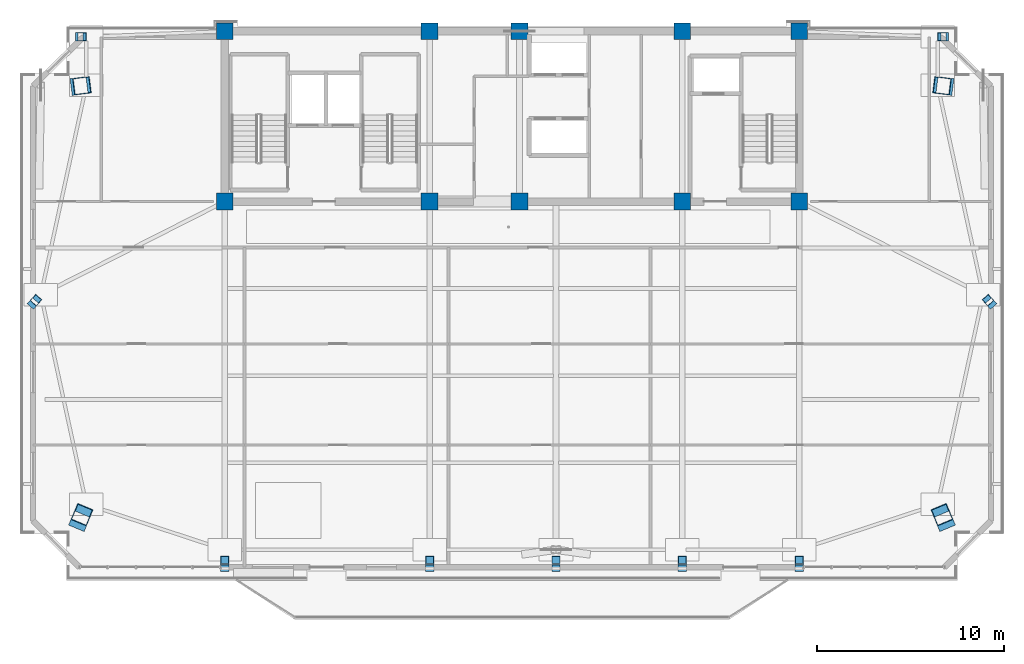
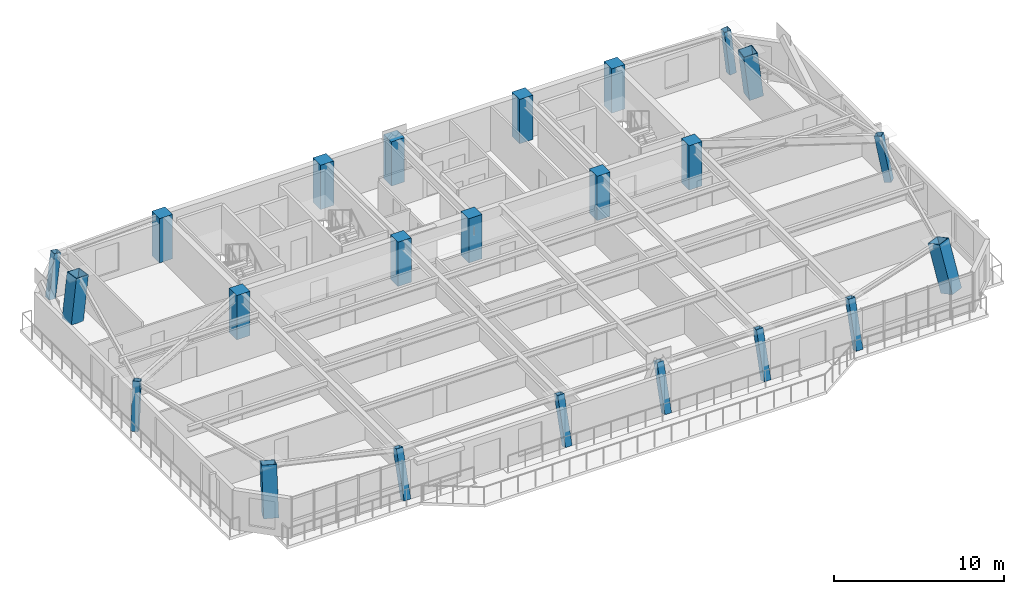
# One storey, part 1 of 15: 23 columns.
"""IFC4 building model written with IfcOpenShell, lengths in metres."""

from ifc_helpers import new_model, si_unit, direction, frame, origin, origin_2d, place, context, subcontext, project, spatial, rectangle, hollow_rectangle, extrude, source, transform, mapped, material, material_profile, profile_set, type_object, element, save


model = new_model("IFC4")

# Units and contexts
model_context = context("Model", 3, precision=1e-05, world=origin(), true_north=direction((0.0, 1.0)))
body_context = subcontext(model_context, "Body", "Model", "MODEL_VIEW")
ifc_project = project(units=[si_unit("LENGTHUNIT", "METRE"), si_unit("AREAUNIT", "SQUARE_METRE"), si_unit("VOLUMEUNIT", "CUBIC_METRE"), si_unit("PLANEANGLEUNIT", "RADIAN"), si_unit("MASSUNIT", "GRAM", prefix="KILO")], contexts=[model_context])

# Site, building, storey
site_placement = place(None, origin())
site = spatial("IfcSite", under=ifc_project, at=site_placement, CompositionType="ELEMENT")
building_placement = place(site_placement, origin())
building = spatial("IfcBuilding", under=site, at=building_placement, Name="Giltprow Tower", CompositionType="ELEMENT")
storey_placement = place(building_placement, frame((0.0, 0.0, 290.39990234375)))
storey = spatial("IfcBuildingStorey", under=building, at=storey_placement, Name="L74", CompositionType="ELEMENT", Elevation=290.39990234375)

# Columns
ifc_material_1 = material(Name="Concrete C45", Category="concrete")
ifc_material_profile_1 = material_profile(ifc_material_1, rectangle(XDim=0.89990234375, YDim=0.89990234375, at=origin_2d()), Name="RC 900x900")
ifc_profile_set_1 = profile_set([ifc_material_profile_1], Name="Concrete C45")
column_type_1 = type_object("IfcColumnType", Name="PIL-RC-900-C45", PredefinedType="PILASTER", material=ifc_profile_set_1)
shared_shape_1 = source(origin(), body_context, "Body", "SweptSolid", [
    extrude(rectangle(XDim=0.89990234375, YDim=0.89990234375, at=origin_2d()), origin(), (0.0, 0.0, 1.0), 3.18505859375),
])
for number, where, z_axis, x_axis, name in (
    (1, (19.85009765625, 37.449951171875, 0.0), (0.0, 0.0, 1.0), (1.0, 0.0, 0.0), "L74 Core Boundary Pilaster 1-1"),
    (2, (19.85009765625, 46.550048828125, 0.0), (0.0, 0.0, 1.0), (1.0, 0.0, 0.0), "L74 Core Boundary Pilaster 1-2"),
    (3, (30.800048828125, 37.449951171875, 0.0), (0.0, 0.0, 1.0), (1.0, 0.0, 0.0), "L74 Core Boundary Pilaster 2-1"),
    (4, (30.800048828125, 46.550048828125, 0.0), (0.0, 0.0, 1.0), (1.0, 0.0, 0.0), "L74 Core Boundary Pilaster 2-2"),
    (5, (35.60009765625, 37.449951171875, 0.0), (0.0, 0.0, 1.0), (1.0, 0.0, 0.0), "L74 Core Boundary Pilaster 3-1"),
    (6, (35.60009765625, 46.550048828125, 0.0), (0.0, 0.0, 1.0), (1.0, 0.0, 0.0), "L74 Core Boundary Pilaster 3-2"),
    (7, (44.300048828125, 37.449951171875, 0.0), (0.0, 0.0, 1.0), (1.0, 0.0, 0.0), "L74 Core Boundary Pilaster 4-1"),
    (8, (44.300048828125, 46.550048828125, 0.0), (0.0, 0.0, 1.0), (1.0, 0.0, 0.0), "L74 Core Boundary Pilaster 4-2"),
    (9, (50.550048828125, 37.449951171875, 0.0), (0.0, 0.0, 1.0), (1.0, 0.0, 0.0), "L74 Core Boundary Pilaster 5-1"),
    (10, (50.550048828125, 46.550048828125, 0.0), (0.0, 0.0, 1.0), (1.0, 0.0, 0.0), "L74 Core Boundary Pilaster 5-2"),
):
    element("IfcColumn", number, at=place(storey_placement, frame(where, z_axis=z_axis, x_axis=x_axis)), inside=storey, type_object=column_type_1, Name=name, PredefinedType="PILASTER", context=body_context, shape_type="MappedRepresentation", body=[
        mapped(shared_shape_1, transform((0.0, 0.0, 0.0), x_axis=(1.0, 0.0, 0.0), y_axis=(0.0, 1.0, 0.0), z_axis=(0.0, 0.0, 1.0), scale=1.0)),
    ])
ifc_material_2 = material(Name="Structural steel Q420GJC", Category="steel")
ifc_material_profile_2 = material_profile(ifc_material_2, hollow_rectangle(XDim=0.89990234375, YDim=0.89990234375, WallThickness=0.0400390625, at=origin_2d()), Name="BOX 900x900x40")
ifc_profile_set_2 = profile_set([ifc_material_profile_2], Name="Structural steel Q420GJC")
column_type_2 = type_object("IfcColumnType", Name="COL-BOX-900x900x40", PredefinedType="COLUMN", material=ifc_profile_set_2)
shared_shape_2 = source(origin(), body_context, "Body", "SweptSolid", [
    extrude(hollow_rectangle(XDim=0.89990234375, YDim=0.89990234375, WallThickness=0.0400390625, at=origin_2d()), origin(), (0.0, 0.0, 1.0), 3.326904296875),
])
column_1_placement = place(storey_placement, frame((12.0859375, 20.385009765625, 0.0), z_axis=(0.110959828981, 0.266611811302, 0.957395455612), x_axis=(-0.923234733375, 0.384236420827, 0.0)))
element("IfcColumn", 11, at=column_1_placement, inside=storey, type_object=column_type_2, Name="L74 Mega-Column MC_SW", PredefinedType="COLUMN", context=body_context, shape_type="MappedRepresentation", body=[
    mapped(shared_shape_2, transform((0.0, 0.0, 0.0), x_axis=(1.0, 0.0, 0.0), y_axis=(0.0, 1.0, 0.0), z_axis=(0.0, 0.0, 1.0), scale=1.0)),
])
shared_shape_3 = source(origin(), body_context, "Body", "SweptSolid", [
    extrude(hollow_rectangle(XDim=0.89990234375, YDim=0.89990234375, WallThickness=0.0400390625, at=origin_2d()), origin(), (0.0, 0.0, 1.0), 3.32666015625),
])
column_2_placement = place(storey_placement, frame((58.31396484375, 20.385009765625, 0.0), z_axis=(-0.110887345502, 0.266613981607, 0.957403249117), x_axis=(-0.923324865032, -0.384019782842, 0.0)))
element("IfcColumn", 12, at=column_2_placement, inside=storey, type_object=column_type_2, Name="L74 Mega-Column MC_SE", PredefinedType="COLUMN", context=body_context, shape_type="MappedRepresentation", body=[
    mapped(shared_shape_3, transform((0.0, 0.0, 0.0), x_axis=(1.0, 0.0, 0.0), y_axis=(0.0, 1.0, 0.0), z_axis=(0.0, 0.0, 1.0), scale=1.0)),
])
shared_shape_4 = source(origin(), body_context, "Body", "SweptSolid", [
    extrude(hollow_rectangle(XDim=0.89990234375, YDim=0.89990234375, WallThickness=0.0400390625, at=origin_2d()), origin(), (0.0, 0.0, 1.0), 3.206787109375),
])
for number, where, z_axis, x_axis, name in (
    (13, (12.0859375, 43.6220703125, 0.0), (0.115114664391, 0.014617735161, 0.993244650557), (-0.125972537044, 0.99203372922, 0.0), "L74 Mega-Column MC_NW"),
    (14, (58.31396484375, 43.6220703125, 0.0), (-0.115039538248, 0.014617863232, 0.993253352732), (-0.12605458305, -0.992023307232, 0.0), "L74 Mega-Column MC_NE"),
):
    element("IfcColumn", number, at=place(storey_placement, frame(where, z_axis=z_axis, x_axis=x_axis)), inside=storey, type_object=column_type_2, Name=name, PredefinedType="COLUMN", context=body_context, shape_type="MappedRepresentation", body=[
        mapped(shared_shape_4, transform((0.0, 0.0, 0.0), x_axis=(1.0, 0.0, 0.0), y_axis=(0.0, 1.0, 0.0), z_axis=(0.0, 0.0, 1.0), scale=1.0)),
    ])
ifc_material_3 = material(Name="Structural steel Q355B", Category="steel")
ifc_material_profile_3 = material_profile(ifc_material_3, hollow_rectangle(XDim=0.449951171875, YDim=0.449951171875, WallThickness=0.02197265625, at=origin_2d()), Name="BOX 450x450x22")
ifc_profile_set_3 = profile_set([ifc_material_profile_3], Name="Structural steel Q355B")
column_type_3 = type_object("IfcColumnType", Name="COL-BOX-450x450x22", PredefinedType="COLUMN", material=ifc_profile_set_3)
shared_shape_5 = source(origin(), body_context, "Body", "SweptSolid", [
    extrude(hollow_rectangle(XDim=0.449951171875, YDim=0.449951171875, WallThickness=0.02197265625, at=origin_2d()), origin(), (0.0, 0.0, 1.0), 3.31884765625),
])
for number, where, z_axis, x_axis, name in (
    (15, (19.85009765625, 17.907958984375, 0.0), (0.0, 0.281146631299, 0.959664822586), (-1.0, 0.0, 0.0), "L74 Perimeter Column S1"),
    (16, (30.800048828125, 17.907958984375, 0.0), (0.0, 0.281146631299, 0.959664822586), (-1.0, 0.0, 0.0), "L74 Perimeter Column S2"),
    (17, (37.550048828125, 17.907958984375, 0.0), (0.0, 0.281146631299, 0.959664822586), (-1.0, 0.0, 0.0), "L74 Perimeter Column S_MID"),
    (18, (44.300048828125, 17.907958984375, 0.0), (0.0, 0.281146631299, 0.959664822586), (-1.0, 0.0, 0.0), "L74 Perimeter Column S3"),
    (19, (50.550048828125, 17.907958984375, 0.0), (0.0, 0.281146631299, 0.959664822586), (-1.0, 0.0, 0.0), "L74 Perimeter Column S4"),
):
    element("IfcColumn", number, at=place(storey_placement, frame(where, z_axis=z_axis, x_axis=x_axis)), inside=storey, type_object=column_type_3, Name=name, PredefinedType="COLUMN", context=body_context, shape_type="MappedRepresentation", body=[
        mapped(shared_shape_5, transform((0.0, 0.0, 0.0), x_axis=(1.0, 0.0, 0.0), y_axis=(0.0, 1.0, 0.0), z_axis=(0.0, 0.0, 1.0), scale=1.0)),
    ])
shared_shape_6 = source(origin(), body_context, "Body", "SweptSolid", [
    extrude(hollow_rectangle(XDim=0.449951171875, YDim=0.449951171875, WallThickness=0.02197265625, at=origin_2d()), origin(), (0.0, 0.0, 1.0), 3.245849609375),
])
for number, where, z_axis, x_axis, name in (
    (20, (9.60888671875, 32.00390625, 0.0), (0.12787099786, 0.143892481709, 0.981297081222), (-0.747495545809, 0.664266820635, 0.0), "L74 Perimeter Column W_MID"),
    (21, (60.791015625, 32.00390625, 0.0), (-0.12787099786, 0.143892481709, 0.981297081222), (-0.747495545809, -0.664266820635, 0.0), "L74 Perimeter Column E_MID"),
):
    element("IfcColumn", number, at=place(storey_placement, frame(where, z_axis=z_axis, x_axis=x_axis)), inside=storey, type_object=column_type_3, Name=name, PredefinedType="COLUMN", context=body_context, shape_type="MappedRepresentation", body=[
        mapped(shared_shape_6, transform((0.0, 0.0, 0.0), x_axis=(1.0, 0.0, 0.0), y_axis=(0.0, 1.0, 0.0), z_axis=(0.0, 0.0, 1.0), scale=1.0)),
    ])
shared_shape_7 = source(origin(), body_context, "Body", "SweptSolid", [
    extrude(hollow_rectangle(XDim=0.449951171875, YDim=0.449951171875, WallThickness=0.02197265625, at=origin_2d()), origin(), (0.0, 0.0, 1.0), 3.206298828125),
])
for number, where, z_axis, x_axis, name in (
    (22, (12.0859375, 46.25, 0.0), (0.115126965108, 0.0, 0.993350784922), (0.0, 1.0, 0.0), "L74 Perimeter Column N_W"),
    (23, (58.31396484375, 46.25, 0.0), (-0.115051831153, 0.0, 0.993359489887), (0.0, -1.0, 0.0), "L74 Perimeter Column N_E"),
):
    element("IfcColumn", number, at=place(storey_placement, frame(where, z_axis=z_axis, x_axis=x_axis)), inside=storey, type_object=column_type_3, Name=name, PredefinedType="COLUMN", context=body_context, shape_type="MappedRepresentation", body=[
        mapped(shared_shape_7, transform((0.0, 0.0, 0.0), x_axis=(1.0, 0.0, 0.0), y_axis=(0.0, 1.0, 0.0), z_axis=(0.0, 0.0, 1.0), scale=1.0)),
    ])

save(model, "model.ifc")
